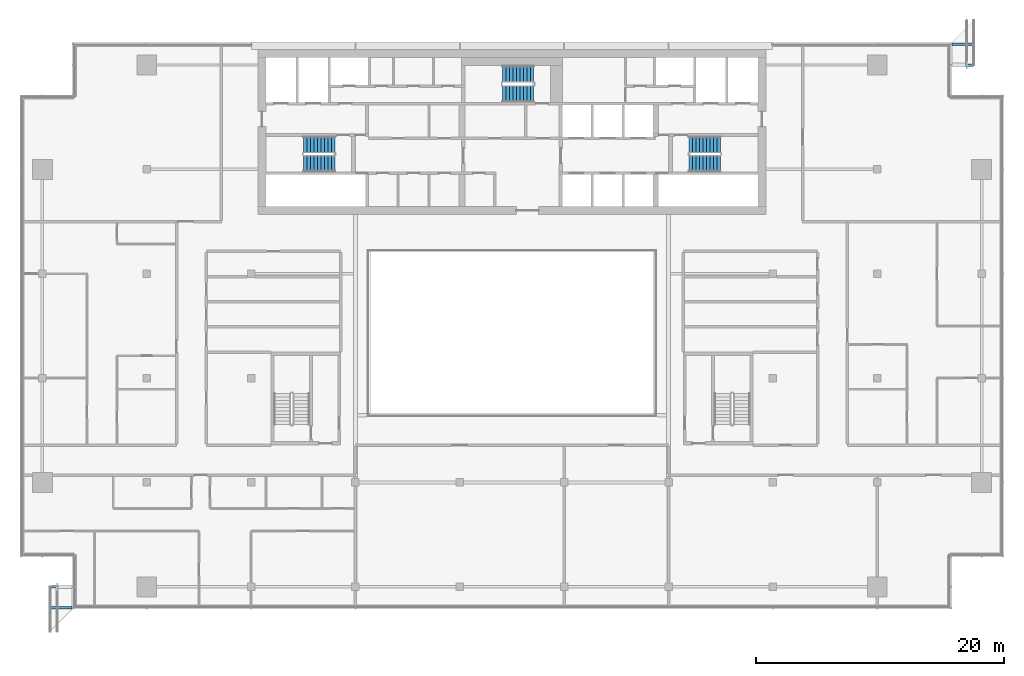
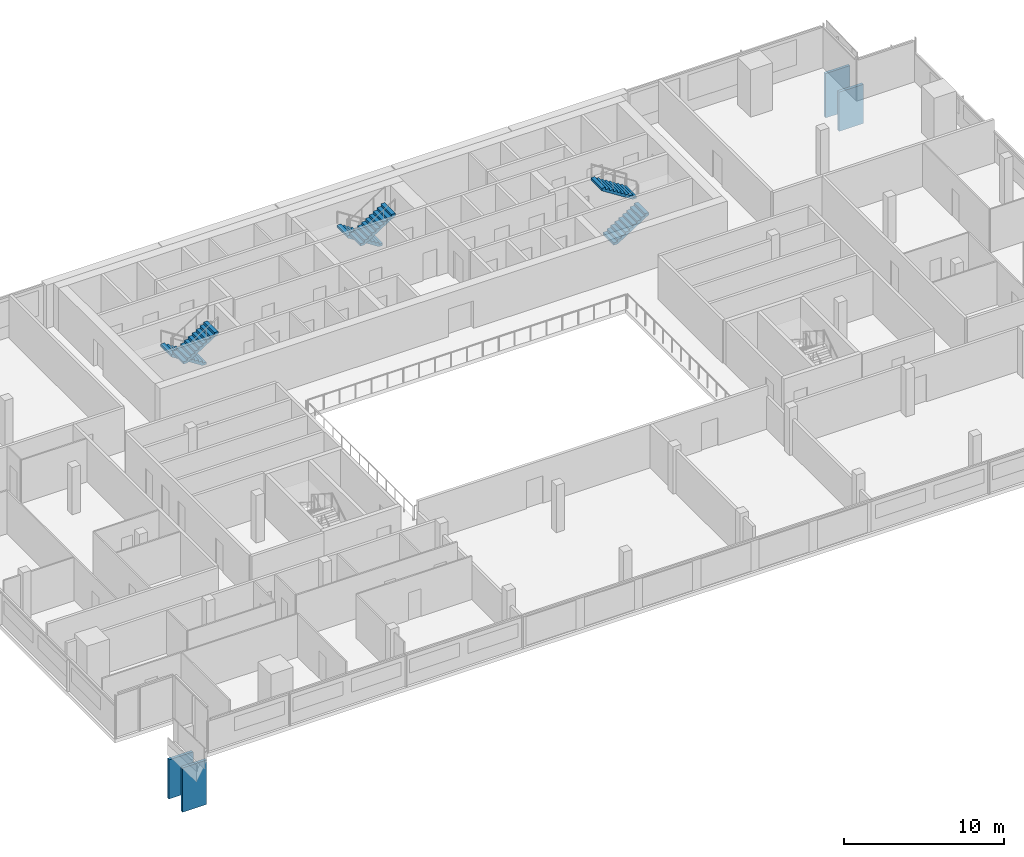
# One storey, part 23 of 25: 6 stair flights, 4 discrete accessories, 3 elements without a shape of their own.
"""IFC4 building model written with IfcOpenShell, lengths in metres."""

import ifcopenshell
import ifcopenshell.guid

model = None  # the IFC model being written
_history = None  # IfcOwnerHistory: only IFC2X3 demands one
_inside = {}  # id of a spatial element -> (the spatial element, [elements in it])
_under = {}  # id of a project, library or spatial element -> (it, [spatial elements below it])
_declared = {}  # id of a project -> (the project, [libraries it declares])
_typed = {}  # id of a type object -> (the type object, [elements of that type])
_made_of = {}  # id of a material, layer set ... -> (it, [elements and type objects made of it])


def new_model(schema):
    """Start an empty IFC model of exactly this schema.

    Asked for "IFC4X3", IfcOpenShell would pick the latest addendum, in which some entities
    have other attributes; the version numbers below select the first issue.
    IFC2X3 requires an IfcOwnerHistory on every rooted entity: one is made here for all.
    """
    global model, _history
    if schema == "IFC4X3":
        model = ifcopenshell.file(schema_version=(4, 3, 0, 0))
    else:
        model = ifcopenshell.file(schema=schema)
    _inside.clear()
    _under.clear()
    _declared.clear()
    _typed.clear()
    _made_of.clear()
    _history = None
    if model.schema == "IFC2X3":
        org = make("IfcOrganization", Name="unknown")
        user = make(
            "IfcPersonAndOrganization",
            ThePerson=make("IfcPerson", FamilyName="unknown"),
            TheOrganization=org,
        )
        app = make(
            "IfcApplication",
            ApplicationDeveloper=org,
            Version="unknown",
            ApplicationFullName="unknown",
            ApplicationIdentifier="unknown",
        )
        _history = make(
            "IfcOwnerHistory",
            OwningUser=user,
            OwningApplication=app,
            ChangeAction="ADDED",
            CreationDate=0,
        )
    return model


def make(cls, **values):
    """One entity of the class cls with the attributes given. An attribute that is None is left unset."""
    return model.create_entity(
        cls, **{name: value for name, value in values.items() if value is not None}
    )


def rooted(cls, **values):
    """An entity with a GlobalId (a new one), such as an element, a storey or a relation."""
    return make(cls, GlobalId=ifcopenshell.guid.new(), OwnerHistory=_history, **values)


def si_unit(unit_type, name, prefix=None):
    """IfcSIUnit, for example si_unit("LENGTHUNIT", "METRE", prefix="MILLI")."""
    return make("IfcSIUnit", UnitType=unit_type, Prefix=prefix, Name=name)


def assignment(units):
    """IfcUnitAssignment: the units of a project."""
    return None if units is None else make("IfcUnitAssignment", Units=units)


def point(xyz):
    """IfcCartesianPoint."""
    return None if xyz is None else make("IfcCartesianPoint", Coordinates=xyz)


def direction(xyz):
    """IfcDirection."""
    return None if xyz is None else make("IfcDirection", DirectionRatios=xyz)


def frame(location, z_axis=None, x_axis=None):
    """IfcAxis2Placement3D, a coordinate frame: its origin and axes. An axis left out is left unset."""
    return make(
        "IfcAxis2Placement3D",
        Location=point(location),
        Axis=direction(z_axis),
        RefDirection=direction(x_axis),
    )


def frame_2d(location, x_axis=None):
    """IfcAxis2Placement2D, a coordinate frame in the plane: its origin and x axis."""
    return make(
        "IfcAxis2Placement2D", Location=point(location), RefDirection=direction(x_axis)
    )


def origin():
    """The frame at (0, 0, 0) with its axes left unset."""
    return frame((0.0, 0.0, 0.0))


def origin_2d():
    """The frame at (0, 0) in the plane with its x axis left unset."""
    return frame_2d((0.0, 0.0))


def place(relative_to, where):
    """IfcLocalPlacement: puts the frame where relative to a parent placement (None: the world)."""
    return make(
        "IfcLocalPlacement", PlacementRelTo=relative_to, RelativePlacement=where
    )


def context(
    kind, dimensions, precision=None, world=None, true_north=None, identifier=None
):
    """IfcGeometricRepresentationContext, for example the 3D "Model" context."""
    return make(
        "IfcGeometricRepresentationContext",
        ContextIdentifier=identifier,
        ContextType=kind,
        CoordinateSpaceDimension=dimensions,
        Precision=precision,
        WorldCoordinateSystem=world,
        TrueNorth=true_north,
    )


def subcontext(parent, identifier, kind, view, scale=None):
    """IfcGeometricRepresentationSubContext, for example "Body" below "Model"."""
    return make(
        "IfcGeometricRepresentationSubContext",
        ContextIdentifier=identifier,
        ContextType=kind,
        ParentContext=parent,
        TargetScale=scale,
        TargetView=view,
    )


def project(units=None, contexts=None):
    """IfcProject with its units and contexts."""
    return rooted(
        "IfcProject",
        Name="project",
        RepresentationContexts=contexts,
        UnitsInContext=assignment(units),
    )


def spatial(cls, under=None, at=None, **own):
    """A site, building, storey or space (cls), placed at a placement, below another one or the project."""
    s = rooted(cls, ObjectPlacement=at, **own)
    if under is not None:
        _under.setdefault(under.id(), (under, []))[1].append(s)
    return s


def polyline(points):
    """IfcPolyline through the points."""
    return make("IfcPolyline", Points=[point(p) for p in points])


def profile(cls, at=None, kind="AREA", **sizes):
    """A parametric profile (cls). Its sizes go by their IFC names, for example OverallWidth=200.0."""
    return make(cls, ProfileType=kind, Position=at, **sizes)


def rectangle(**sizes):
    """IfcRectangleProfileDef."""
    return profile("IfcRectangleProfileDef", **sizes)


def outline(outer, holes=None, kind="AREA"):
    """IfcArbitraryClosedProfileDef: a profile drawn as a closed curve; with holes, ...WithVoids."""
    if holes is None:
        return make("IfcArbitraryClosedProfileDef", ProfileType=kind, OuterCurve=outer)
    return make(
        "IfcArbitraryProfileDefWithVoids",
        ProfileType=kind,
        OuterCurve=outer,
        InnerCurves=holes,
    )


def extrude(swept, where, along, depth):
    """IfcExtrudedAreaSolid: the profile swept, set in the frame where, extruded along a direction by depth."""
    return make(
        "IfcExtrudedAreaSolid",
        SweptArea=swept,
        Position=where,
        ExtrudedDirection=direction(along),
        Depth=depth,
    )


def shape(context_of_items, identifier, shape_type, items):
    """IfcShapeRepresentation: the items that make up one representation, for example the "Body"."""
    return make(
        "IfcShapeRepresentation",
        ContextOfItems=context_of_items,
        RepresentationIdentifier=identifier,
        RepresentationType=shape_type,
        Items=items,
    )


def material(Name=None, Category=None):
    """IfcMaterial."""
    return make("IfcMaterial", Name=Name, Category=Category)


def made_of(thing, what):
    """Note that an element or type object is made of a material, layer set ...; save() writes the relation."""
    if what is not None:
        _made_of.setdefault(what.id(), (what, []))[1].append(thing)
    return thing


def type_object(cls, material=None, **own):
    """A type object (cls), such as IfcWallType, which elements share."""
    return made_of(rooted(cls, **own), material)


def element(
    cls,
    number,
    at=None,
    inside=None,
    cuts=None,
    type_object=None,
    material=None,
    context=None,
    identifier="Body",
    shape_type=None,
    held_by="IfcProductDefinitionShape",
    body=None,
    shapes=None,
    **own,
):
    """One element of the class cls, such as IfcWall. Its Tag is "e" and its number.

    at: its placement. inside: the storey or other place that contains it. cuts: it is an
    opening in that element (IfcRelVoidsElement). A single representation is given by context,
    identifier, shape_type and body (its items); several are given by shapes. held_by: the class
    of the entity that holds the representations. save() writes the other relations.
    """
    e = rooted(cls, Tag="e%d" % number, ObjectPlacement=at, **own)
    if body is not None:
        shapes = [shape(context, identifier, shape_type, body)]
    if shapes is not None:
        e.Representation = make(held_by, Representations=shapes)
    if inside is not None:
        _inside.setdefault(inside.id(), (inside, []))[1].append(e)
    if cuts is not None:
        rooted(
            "IfcRelVoidsElement", RelatingBuildingElement=cuts, RelatedOpeningElement=e
        )
    if type_object is not None:
        _typed.setdefault(type_object.id(), (type_object, []))[1].append(e)
    return made_of(e, material)


def aggregate(whole, parts):
    """IfcRelAggregates: a whole, such as a stair, and the parts it consists of."""
    return rooted("IfcRelAggregates", RelatingObject=whole, RelatedObjects=parts)


def save(model, path):
    """Write the relations noted so far, then the file.

    IfcRelAggregates (storeys below a building ...), IfcRelContainedInSpatialStructure (elements
    in a storey), IfcRelDefinesByType, IfcRelAssociatesMaterial and IfcRelDeclares: one each for
    every whole, place, type object, material and project.
    """
    for whole, parts in _under.values():
        aggregate(whole, parts)
    for where, things in _inside.values():
        rooted(
            "IfcRelContainedInSpatialStructure",
            RelatedElements=things,
            RelatingStructure=where,
        )
    for kind, things in _typed.values():
        rooted("IfcRelDefinesByType", RelatedObjects=things, RelatingType=kind)
    for what, things in _made_of.values():
        rooted("IfcRelAssociatesMaterial", RelatedObjects=things, RelatingMaterial=what)
    for by, libraries in _declared.values():
        rooted("IfcRelDeclares", RelatingContext=by, RelatedDefinitions=libraries)
    model.write(path)


model = new_model("IFC4")

# Units and contexts
model_context = context("Model", 3, precision=1e-05, world=origin(), true_north=direction((0.0, 1.0)))
body_context = subcontext(model_context, "Body", "Model", "MODEL_VIEW")
ifc_project = project(units=[si_unit("LENGTHUNIT", "METRE"), si_unit("AREAUNIT", "SQUARE_METRE"), si_unit("VOLUMEUNIT", "CUBIC_METRE"), si_unit("PLANEANGLEUNIT", "RADIAN"), si_unit("MASSUNIT", "GRAM", prefix="KILO")], contexts=[model_context])

# Site, building, storey
site_placement = place(None, origin())
site = spatial("IfcSite", under=ifc_project, at=site_placement, CompositionType="ELEMENT")
building_placement = place(site_placement, origin())
building = spatial("IfcBuilding", under=site, at=building_placement, Name="Saffron Gate Tower", CompositionType="ELEMENT")
storey_placement = place(building_placement, frame((0.0, 0.0, 248.699951171875)))
storey = spatial("IfcBuildingStorey", under=building, at=storey_placement, Name="L61", CompositionType="ELEMENT", Elevation=248.699951171875)

# Stair, stair flights
ifc_material = material(Name="Concrete C40", Category="concrete")
stair_type = type_object("IfcStairType", Name="ST7 Stair 1350 wide, 20 risers of 180", PredefinedType="HALF_TURN_STAIR", material=ifc_material)
stair_1_placement = place(storey_placement, origin())
stair_1 = element("IfcStair", 1, at=stair_1_placement, inside=storey, type_object=stair_type, Name="L61 Exit stair A", PredefinedType="HALF_TURN_STAIR")
stair_flight_type = type_object("IfcStairFlightType", Name="SF3 Stair flight 1350 wide, riser 180 going 280", PredefinedType="STRAIGHT", material=ifc_material)
stair_flight_1_placement = place(storey_placement, frame((73.35009765625, 67.375, 0.0), z_axis=(0.0, 0.0, 1.0), x_axis=(-1.0, 0.0, 0.0)))
stair_flight_1 = element("IfcStairFlight", 2, at=stair_flight_1_placement, type_object=stair_flight_type, Name="ST-A flight 1", NumberOfRisers=10, NumberOfTreads=9, PredefinedType="STRAIGHT", RiserHeight=0.18, TreadLength=0.28, context=body_context, shape_type="SweptSolid", body=[
    extrude(outline(polyline([(0.0, 0.0), (0.0, 0.179931640625), (0.280029296875, 0.179931640625), (0.280029296875, 0.360107421875), (0.56005859375, 0.360107421875), (0.56005859375, 0.5400390625), (0.840087890625, 0.5400390625), (0.840087890625, 0.719970703125), (1.1201171875, 0.719970703125), (1.1201171875, 0.89990234375), (1.39990234375, 0.89990234375), (1.39990234375, 1.080078125), (1.679931640625, 1.080078125), (1.679931640625, 1.260009765625), (1.9599609375, 1.260009765625), (1.9599609375, 1.43994140625), (2.239990234375, 1.43994140625), (2.239990234375, 1.6201171875), (2.52001953125, 1.6201171875), (2.52001953125, 1.800048828125), (2.52001953125, 1.44189453125), (0.277099609375, 0.0), (0.0, 0.0)])), frame((0.0, 0.675048828125, 0.0), z_axis=(0.0, -1.0, 0.0), x_axis=(1.0, 0.0, 0.0)), (0.0, 0.0, 1.0), 1.35009765625),
])
stair_flight_2_placement = place(storey_placement, frame((70.830078125, 65.875, 1.800048828125), z_axis=(0.0, 0.0, 1.0), x_axis=(1.0, 0.0, 0.0)))
stair_flight_2 = element("IfcStairFlight", 3, at=stair_flight_2_placement, type_object=stair_flight_type, Name="ST-A flight 2", NumberOfRisers=10, NumberOfTreads=9, PredefinedType="STRAIGHT", RiserHeight=0.18, TreadLength=0.28, context=body_context, shape_type="SweptSolid", body=[
    extrude(outline(polyline([(0.0, 0.0), (0.0, 0.179931640625), (0.280029296875, 0.179931640625), (0.280029296875, 0.360107421875), (0.56005859375, 0.360107421875), (0.56005859375, 0.5400390625), (0.840087890625, 0.5400390625), (0.840087890625, 0.719970703125), (1.1201171875, 0.719970703125), (1.1201171875, 0.89990234375), (1.39990234375, 0.89990234375), (1.39990234375, 1.080078125), (1.679931640625, 1.080078125), (1.679931640625, 1.260009765625), (1.9599609375, 1.260009765625), (1.9599609375, 1.43994140625), (2.239990234375, 1.43994140625), (2.239990234375, 1.6201171875), (2.52001953125, 1.6201171875), (2.52001953125, 1.800048828125), (2.52001953125, 1.44189453125), (0.277099609375, 0.0), (0.0, 0.0)])), frame((0.0, 0.675048828125, 0.0), z_axis=(0.0, -1.0, 0.0), x_axis=(1.0, 0.0, 0.0)), (0.0, 0.0, 1.0), 1.35009765625),
])
aggregate(stair_1, [stair_flight_1, stair_flight_2])

stair_2_placement = place(storey_placement, origin())
stair_2 = element("IfcStair", 4, at=stair_2_placement, inside=storey, type_object=stair_type, Name="L61 Exit stair B", PredefinedType="HALF_TURN_STAIR")
stair_flight_3_placement = place(storey_placement, frame((101.85009765625, 65.875, 0.0), z_axis=(0.0, 0.0, 1.0), x_axis=(1.0, 0.0, 0.0)))
stair_flight_3 = element("IfcStairFlight", 5, at=stair_flight_3_placement, type_object=stair_flight_type, Name="ST-B flight 1", NumberOfRisers=10, NumberOfTreads=9, PredefinedType="STRAIGHT", RiserHeight=0.18, TreadLength=0.28, context=body_context, shape_type="SweptSolid", body=[
    extrude(outline(polyline([(0.0, 0.0), (0.0, 0.179931640625), (0.280029296875, 0.179931640625), (0.280029296875, 0.360107421875), (0.56005859375, 0.360107421875), (0.56005859375, 0.5400390625), (0.840087890625, 0.5400390625), (0.840087890625, 0.719970703125), (1.1201171875, 0.719970703125), (1.1201171875, 0.89990234375), (1.39990234375, 0.89990234375), (1.39990234375, 1.080078125), (1.679931640625, 1.080078125), (1.679931640625, 1.260009765625), (1.9599609375, 1.260009765625), (1.9599609375, 1.43994140625), (2.239990234375, 1.43994140625), (2.239990234375, 1.6201171875), (2.52001953125, 1.6201171875), (2.52001953125, 1.800048828125), (2.52001953125, 1.44189453125), (0.277099609375, 0.0), (0.0, 0.0)])), frame((0.0, 0.675048828125, 0.0), z_axis=(0.0, -1.0, 0.0), x_axis=(1.0, 0.0, 0.0)), (0.0, 0.0, 1.0), 1.35009765625),
])
stair_flight_4_placement = place(storey_placement, frame((104.3701171875, 67.375, 1.800048828125), z_axis=(0.0, 0.0, 1.0), x_axis=(-1.0, 0.0, 0.0)))
stair_flight_4 = element("IfcStairFlight", 6, at=stair_flight_4_placement, type_object=stair_flight_type, Name="ST-B flight 2", NumberOfRisers=10, NumberOfTreads=9, PredefinedType="STRAIGHT", RiserHeight=0.18, TreadLength=0.28, context=body_context, shape_type="SweptSolid", body=[
    extrude(outline(polyline([(0.0, 0.0), (0.0, 0.179931640625), (0.280029296875, 0.179931640625), (0.280029296875, 0.360107421875), (0.56005859375, 0.360107421875), (0.56005859375, 0.5400390625), (0.840087890625, 0.5400390625), (0.840087890625, 0.719970703125), (1.1201171875, 0.719970703125), (1.1201171875, 0.89990234375), (1.39990234375, 0.89990234375), (1.39990234375, 1.080078125), (1.679931640625, 1.080078125), (1.679931640625, 1.260009765625), (1.9599609375, 1.260009765625), (1.9599609375, 1.43994140625), (2.239990234375, 1.43994140625), (2.239990234375, 1.6201171875), (2.52001953125, 1.6201171875), (2.52001953125, 1.800048828125), (2.52001953125, 1.44189453125), (0.277099609375, 0.0), (0.0, 0.0)])), frame((0.0, 0.675048828125, 0.0), z_axis=(0.0, -1.0, 0.0), x_axis=(1.0, 0.0, 0.0)), (0.0, 0.0, 1.0), 1.35009765625),
])
aggregate(stair_2, [stair_flight_3, stair_flight_4])

stair_3_placement = place(storey_placement, origin())
stair_3 = element("IfcStair", 7, at=stair_3_placement, inside=storey, type_object=stair_type, Name="L61 Exit stair C", PredefinedType="HALF_TURN_STAIR")
stair_flight_5_placement = place(storey_placement, frame((89.35009765625, 73.074951171875, 0.0), z_axis=(0.0, 0.0, 1.0), x_axis=(-1.0, 0.0, 0.0)))
stair_flight_5 = element("IfcStairFlight", 8, at=stair_flight_5_placement, type_object=stair_flight_type, Name="ST-C flight 1", NumberOfRisers=10, NumberOfTreads=9, PredefinedType="STRAIGHT", RiserHeight=0.18, TreadLength=0.28, context=body_context, shape_type="SweptSolid", body=[
    extrude(outline(polyline([(0.0, 0.0), (0.0, 0.179931640625), (0.280029296875, 0.179931640625), (0.280029296875, 0.360107421875), (0.56005859375, 0.360107421875), (0.56005859375, 0.5400390625), (0.840087890625, 0.5400390625), (0.840087890625, 0.719970703125), (1.1201171875, 0.719970703125), (1.1201171875, 0.89990234375), (1.39990234375, 0.89990234375), (1.39990234375, 1.080078125), (1.679931640625, 1.080078125), (1.679931640625, 1.260009765625), (1.9599609375, 1.260009765625), (1.9599609375, 1.43994140625), (2.239990234375, 1.43994140625), (2.239990234375, 1.6201171875), (2.52001953125, 1.6201171875), (2.52001953125, 1.800048828125), (2.52001953125, 1.44189453125), (0.277099609375, 0.0), (0.0, 0.0)])), frame((0.0, 0.675048828125, 0.0), z_axis=(0.0, -1.0, 0.0), x_axis=(1.0, 0.0, 0.0)), (0.0, 0.0, 1.0), 1.35009765625),
])
stair_flight_6_placement = place(storey_placement, frame((86.830078125, 71.47509765625, 1.800048828125), z_axis=(0.0, 0.0, 1.0), x_axis=(1.0, 0.0, 0.0)))
stair_flight_6 = element("IfcStairFlight", 9, at=stair_flight_6_placement, type_object=stair_flight_type, Name="ST-C flight 2", NumberOfRisers=10, NumberOfTreads=9, PredefinedType="STRAIGHT", RiserHeight=0.18, TreadLength=0.28, context=body_context, shape_type="SweptSolid", body=[
    extrude(outline(polyline([(0.0, 0.0), (0.0, 0.179931640625), (0.280029296875, 0.179931640625), (0.280029296875, 0.360107421875), (0.56005859375, 0.360107421875), (0.56005859375, 0.5400390625), (0.840087890625, 0.5400390625), (0.840087890625, 0.719970703125), (1.1201171875, 0.719970703125), (1.1201171875, 0.89990234375), (1.39990234375, 0.89990234375), (1.39990234375, 1.080078125), (1.679931640625, 1.080078125), (1.679931640625, 1.260009765625), (1.9599609375, 1.260009765625), (1.9599609375, 1.43994140625), (2.239990234375, 1.43994140625), (2.239990234375, 1.6201171875), (2.52001953125, 1.6201171875), (2.52001953125, 1.800048828125), (2.52001953125, 1.44189453125), (0.277099609375, 0.0), (0.0, 0.0)])), frame((0.0, 0.675048828125, 0.0), z_axis=(0.0, -1.0, 0.0), x_axis=(1.0, 0.0, 0.0)), (0.0, 0.0, 1.0), 1.35009765625),
])
aggregate(stair_3, [stair_flight_5, stair_flight_6])

# Discrete accessories
discrete_accessory_1_placement = place(storey_placement, frame((51.324951171875, 31.800048828125, -3.8798828125), z_axis=(0.0, 0.0, 1.0), x_axis=(0.0, -1.0, 0.0)))
element("IfcDiscreteAccessory", 10, at=discrete_accessory_1_placement, inside=storey, Name="LEDGE rib", PredefinedType="BRACKET", context=body_context, shape_type="SweptSolid", body=[
    extrude(rectangle(XDim=0.199951171875, YDim=1.75, at=origin_2d()), origin(), (0.0, 0.0, 1.0), 2.986083984375),
])
discrete_accessory_2_placement = place(storey_placement, frame((51.324951171875, 30.1201171875, -3.8798828125), z_axis=(0.0, 0.0, 1.0), x_axis=(0.0, -1.0, 0.0)))
element("IfcDiscreteAccessory", 11, at=discrete_accessory_2_placement, inside=storey, Name="LEDGE rib", PredefinedType="BRACKET", context=body_context, shape_type="SweptSolid", body=[
    extrude(rectangle(XDim=0.199951171875, YDim=1.75, at=origin_2d()), origin(), (0.0, 0.0, 1.0), 3.380859375),
])
discrete_accessory_3_placement = place(storey_placement, frame((123.875, 73.800048828125, -3.8798828125), z_axis=(0.0, 0.0, 1.0), x_axis=(0.0, 1.0, 0.0)))
element("IfcDiscreteAccessory", 12, at=discrete_accessory_3_placement, inside=storey, Name="LEDGE rib", PredefinedType="BRACKET", context=body_context, shape_type="SweptSolid", body=[
    extrude(rectangle(XDim=0.199951171875, YDim=1.75, at=origin_2d()), origin(), (0.0, 0.0, 1.0), 2.986083984375),
])
discrete_accessory_4_placement = place(storey_placement, frame((123.875, 75.47998046875, -3.8798828125), z_axis=(0.0, 0.0, 1.0), x_axis=(0.0, 1.0, 0.0)))
element("IfcDiscreteAccessory", 13, at=discrete_accessory_4_placement, inside=storey, Name="LEDGE rib", PredefinedType="BRACKET", context=body_context, shape_type="SweptSolid", body=[
    extrude(rectangle(XDim=0.199951171875, YDim=1.75, at=origin_2d()), origin(), (0.0, 0.0, 1.0), 3.380859375),
])

save(model, "model.ifc")
